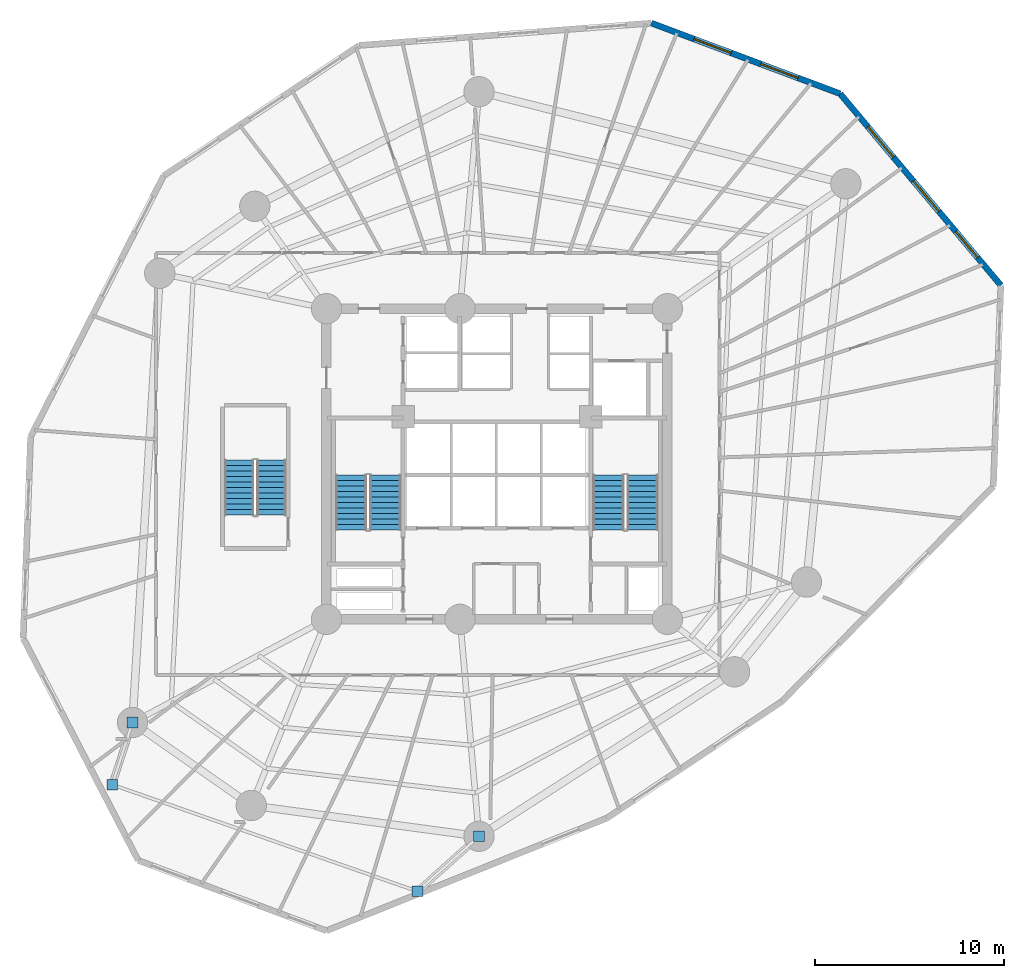
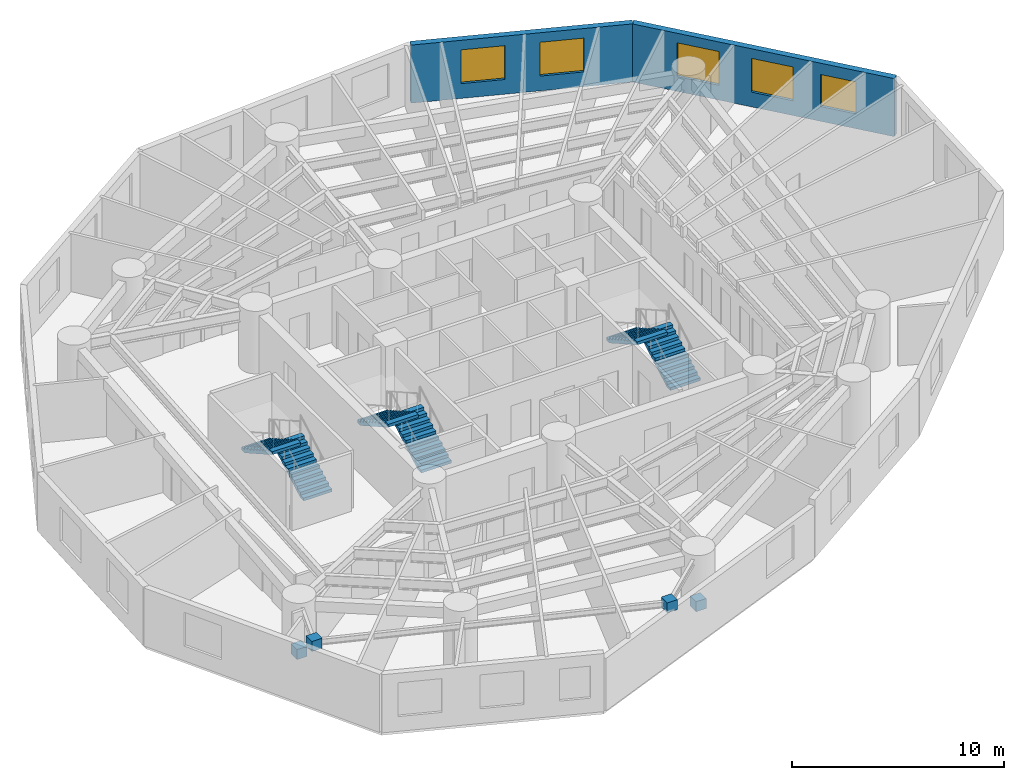
# One storey, part 7 of 8: 6 stair flights, 5 windows, 4 discrete accessories, 2 walls, 5 openings, 3 elements without a shape of their own.
"""IFC4 building model written with IfcOpenShell, lengths in metres."""

from ifc_helpers import new_model, si_unit, direction, frame, frame_2d, origin, origin_with_axes, origin_2d, place, context, subcontext, project, spatial, polyline, rectangle, outline, extrude, source, transform, mapped, material, layer, layer_set, type_object, element, fill, aggregate, save


model = new_model("IFC4")

# Units and contexts
model_context = context("Model", 3, precision=1e-05, world=origin(), true_north=direction((0.0, 1.0)))
body_context = subcontext(model_context, "Body", "Model", "MODEL_VIEW")
ifc_project = project(units=[si_unit("LENGTHUNIT", "METRE"), si_unit("AREAUNIT", "SQUARE_METRE"), si_unit("VOLUMEUNIT", "CUBIC_METRE"), si_unit("PLANEANGLEUNIT", "RADIAN"), si_unit("MASSUNIT", "GRAM", prefix="KILO")], contexts=[model_context])

# Site, building, storey
site_placement = place(None, origin())
site = spatial("IfcSite", under=ifc_project, at=site_placement, CompositionType="ELEMENT")
building_placement = place(site_placement, origin())
building = spatial("IfcBuilding", under=site, at=building_placement, Name="Karkom Vertical University and Central Library", CompositionType="ELEMENT")
storey_placement = place(building_placement, frame((0.0, 0.0, 40.89990234375)))
storey = spatial("IfcBuildingStorey", under=building, at=storey_placement, Name="L10", CompositionType="ELEMENT", Elevation=40.89990234375)

# Wall, openings, windows
ifc_material_1 = material(Name="Brick-faced precast concrete C45/55", Category="masonry")
ifc_layer = layer(ifc_material_1, 0.320068359375)
ifc_layer_set = layer_set([ifc_layer], Name="Brick-faced precast concrete C45/55")
wall_type = type_object("IfcWallType", Name="ENV-WL-BRK-320", PredefinedType="SOLIDWALL", material=ifc_layer_set)
wall_1_placement = place(storey_placement, frame((55.109619140625, 35.931640625, 0.0), z_axis=(0.0, 0.0, 1.0), x_axis=(-0.642710935311, 0.766108774021, 0.0)))
wall_1 = element("IfcWall", 1, at=wall_1_placement, inside=storey, type_object=wall_type, Name="Level 10 Brick-Faced Precast Facade Wall 10", PredefinedType="SOLIDWALL", context=body_context, shape_type="SweptSolid", body=[
    extrude(rectangle(XDim=13.21240234375, YDim=0.320068359375, at=frame_2d((6.606201171875, 0.0))), origin(), (0.0, 0.0, 1.0), 3.35009765625),
])
opening_1_placement = place(wall_1_placement, frame((1.919677734375, 0.0, 0.85009765625)))
opening_1 = element("IfcOpeningElement", 2, at=opening_1_placement, cuts=wall_1, Name="Opening WN-04", PredefinedType="OPENING", context=body_context, shape_type="SweptSolid", body=[
    extrude(rectangle(XDim=1.800048828125, YDim=1.85009765625, at=frame_2d((0.89990234375, 0.925048828125))), frame((0.0, 0.169921875, 0.0), z_axis=(0.0, -1.0, 0.0), x_axis=(1.0, 0.0, 0.0)), (0.0, 0.0, 1.0), 0.340087890625),
])
opening_2_placement = place(wall_1_placement, frame((5.09423828125, 0.0, 0.85009765625)))
opening_2 = element("IfcOpeningElement", 3, at=opening_2_placement, cuts=wall_1, Name="Opening WN-03", PredefinedType="OPENING", context=body_context, shape_type="SweptSolid", body=[
    extrude(rectangle(XDim=2.10009765625, YDim=1.949951171875, at=frame_2d((1.050048828125, 0.97509765625))), frame((0.0, 0.169921875, 0.0), z_axis=(0.0, -1.0, 0.0), x_axis=(1.0, 0.0, 0.0)), (0.0, 0.0, 1.0), 0.340087890625),
])
opening_3_placement = place(wall_1_placement, frame((8.82763671875, 0.0, 0.85009765625)))
opening_3 = element("IfcOpeningElement", 4, at=opening_3_placement, cuts=wall_1, Name="Opening WN-03", PredefinedType="OPENING", context=body_context, shape_type="SweptSolid", body=[
    extrude(rectangle(XDim=2.10009765625, YDim=1.949951171875, at=frame_2d((1.050048828125, 0.97509765625))), frame((0.0, 0.169921875, 0.0), z_axis=(0.0, -1.0, 0.0), x_axis=(1.0, 0.0, 0.0)), (0.0, 0.0, 1.0), 0.340087890625),
])
ifc_material_2 = material(Name="Aluminium thermal-break frame with solar-control IGU", Category="aluminium")
window_type_1 = type_object("IfcWindowType", Name="ENV-WIN-WN-03", PartitioningType="SINGLE_PANEL", PredefinedType="WINDOW", material=ifc_material_2)
shared_shape_1 = source(origin_with_axes(), body_context, "Body", "SweptSolid", [
    extrude(rectangle(XDim=2.10009765625, YDim=1.949951171875, at=frame_2d((1.050048828125, 0.97509765625))), frame((0.0, 0.030029296875, 0.0), z_axis=(0.0, -1.0, 0.0), x_axis=(1.0, 0.0, 0.0)), (0.0, 0.0, 1.0), 0.06005859375),
])
window_1_placement = place(opening_2_placement, origin())
window_1 = element("IfcWindow", 5, at=window_1_placement, inside=storey, type_object=window_type_1, Name="Level 10 Punched Window 10.2", OverallHeight=1.949951171875, OverallWidth=2.10009765625, PartitioningType="SINGLE_PANEL", PredefinedType="WINDOW", context=body_context, shape_type="MappedRepresentation", body=[
    mapped(shared_shape_1, transform((0.0, 0.0, 0.0), scale=1.0)),
])
fill(opening_2, window_1)
window_2_placement = place(opening_3_placement, origin())
window_2 = element("IfcWindow", 6, at=window_2_placement, inside=storey, type_object=window_type_1, Name="Level 10 Punched Window 10.3", OverallHeight=1.949951171875, OverallWidth=2.10009765625, PartitioningType="SINGLE_PANEL", PredefinedType="WINDOW", context=body_context, shape_type="MappedRepresentation", body=[
    mapped(shared_shape_1, transform((0.0, 0.0, 0.0), scale=1.0)),
])
fill(opening_3, window_2)
window_type_2 = type_object("IfcWindowType", Name="ENV-WIN-WN-04", PartitioningType="SINGLE_PANEL", PredefinedType="WINDOW", material=ifc_material_2)
shared_shape_2 = source(origin_with_axes(), body_context, "Body", "SweptSolid", [
    extrude(rectangle(XDim=1.800048828125, YDim=1.85009765625, at=frame_2d((0.89990234375, 0.925048828125))), frame((0.0, 0.030029296875, 0.0), z_axis=(0.0, -1.0, 0.0), x_axis=(1.0, 0.0, 0.0)), (0.0, 0.0, 1.0), 0.06005859375),
])
window_3_placement = place(opening_1_placement, origin())
window_3 = element("IfcWindow", 7, at=window_3_placement, inside=storey, type_object=window_type_2, Name="Level 10 Punched Window 10.1", OverallHeight=1.85009765625, OverallWidth=1.800048828125, PartitioningType="SINGLE_PANEL", PredefinedType="WINDOW", context=body_context, shape_type="MappedRepresentation", body=[
    mapped(shared_shape_2, transform((0.0, 0.0, 0.0), scale=1.0)),
])
fill(opening_1, window_3)

wall_2_placement = place(storey_placement, frame((46.617919921875, 46.0537109375, 0.0), z_axis=(0.0, 0.0, 1.0), x_axis=(-0.936577845609, 0.350459611246, 0.0)))
wall_2 = element("IfcWall", 8, at=wall_2_placement, inside=storey, type_object=wall_type, Name="Level 10 Brick-Faced Precast Facade Wall 11", PredefinedType="SOLIDWALL", context=body_context, shape_type="SweptSolid", body=[
    extrude(rectangle(XDim=10.6416015625, YDim=0.320068359375, at=frame_2d((5.32080078125, 0.0))), origin(), (0.0, 0.0, 1.0), 3.35009765625),
])
opening_4_placement = place(wall_2_placement, frame((2.36767578125, 0.0, 0.85009765625)))
opening_4 = element("IfcOpeningElement", 9, at=opening_4_placement, cuts=wall_2, Name="Opening WN-03", PredefinedType="OPENING", context=body_context, shape_type="SweptSolid", body=[
    extrude(rectangle(XDim=2.10009765625, YDim=1.949951171875, at=frame_2d((1.050048828125, 0.97509765625))), frame((0.0, 0.169921875, 0.0), z_axis=(0.0, -1.0, 0.0), x_axis=(1.0, 0.0, 0.0)), (0.0, 0.0, 1.0), 0.340087890625),
])
opening_5_placement = place(wall_2_placement, frame((6.14111328125, 0.0, 0.85009765625)))
opening_5 = element("IfcOpeningElement", 10, at=opening_5_placement, cuts=wall_2, Name="Opening WN-03", PredefinedType="OPENING", context=body_context, shape_type="SweptSolid", body=[
    extrude(rectangle(XDim=2.10009765625, YDim=1.949951171875, at=frame_2d((1.050048828125, 0.97509765625))), frame((0.0, 0.169921875, 0.0), z_axis=(0.0, -1.0, 0.0), x_axis=(1.0, 0.0, 0.0)), (0.0, 0.0, 1.0), 0.340087890625),
])
window_4_placement = place(opening_4_placement, origin())
window_4 = element("IfcWindow", 11, at=window_4_placement, inside=storey, type_object=window_type_1, Name="Level 10 Punched Window 11.1", OverallHeight=1.949951171875, OverallWidth=2.10009765625, PartitioningType="SINGLE_PANEL", PredefinedType="WINDOW", context=body_context, shape_type="MappedRepresentation", body=[
    mapped(shared_shape_1, transform((0.0, 0.0, 0.0), scale=1.0)),
])
fill(opening_4, window_4)
window_5_placement = place(opening_5_placement, origin())
window_5 = element("IfcWindow", 12, at=window_5_placement, inside=storey, type_object=window_type_1, Name="Level 10 Punched Window 11.2", OverallHeight=1.949951171875, OverallWidth=2.10009765625, PartitioningType="SINGLE_PANEL", PredefinedType="WINDOW", context=body_context, shape_type="MappedRepresentation", body=[
    mapped(shared_shape_1, transform((0.0, 0.0, 0.0), scale=1.0)),
])
fill(opening_5, window_5)

# Stair, stair flights
ifc_material_3 = material(Name="Concrete C45/55", Category="concrete")
stair_type_1 = type_object("IfcStairType", Name="INT-STR-ST-MAIN", PredefinedType="HALF_TURN_STAIR", material=ifc_material_3)
stair_1_placement = place(storey_placement, origin())
stair_1 = element("IfcStair", 13, at=stair_1_placement, inside=storey, type_object=stair_type_1, Name="Level 10 Tower Protected Exit Stair ST-1", PredefinedType="HALF_TURN_STAIR")
stair_flight_type_1 = type_object("IfcStairFlightType", Name="INT-SFL-ST-MAIN", PredefinedType="STRAIGHT", material=ifc_material_3)
stair_flight_1_placement = place(storey_placement, frame((22.614990234375, 23.02001953125, 0.0), z_axis=(0.0, 0.0, 1.0), x_axis=(0.0, 1.0, 0.0)))
stair_flight_1 = element("IfcStairFlight", 14, at=stair_flight_1_placement, type_object=stair_flight_type_1, Name="ST-1 flight 1", NumberOfRisers=11, NumberOfTreads=10, PredefinedType="STRAIGHT", RiserHeight=0.163636364, TreadLength=0.29, context=body_context, shape_type="SweptSolid", body=[
    extrude(outline(polyline([(0.0, 0.0), (0.0, 0.16357421875), (0.2900390625, 0.16357421875), (0.2900390625, 0.327392578125), (0.580078125, 0.327392578125), (0.580078125, 0.490966796875), (0.8701171875, 0.490966796875), (0.8701171875, 0.654541015625), (1.159912109375, 0.654541015625), (1.159912109375, 0.818115234375), (1.449951171875, 0.818115234375), (1.449951171875, 0.98193359375), (1.739990234375, 0.98193359375), (1.739990234375, 1.1455078125), (2.030029296875, 1.1455078125), (2.030029296875, 1.30908203125), (2.320068359375, 1.30908203125), (2.320068359375, 1.47265625), (2.610107421875, 1.47265625), (2.610107421875, 1.636474609375), (2.89990234375, 1.636474609375), (2.89990234375, 1.800048828125), (2.89990234375, 1.46435546875), (0.304931640625, 0.0), (0.0, 0.0)])), frame((0.0, 0.824951171875, 0.0), z_axis=(0.0, -1.0, 0.0), x_axis=(1.0, 0.0, 0.0)), (0.0, 0.0, 1.0), 1.64990234375),
])
stair_flight_2_placement = place(storey_placement, frame((20.804931640625, 25.919921875, 1.800048828125), z_axis=(0.0, 0.0, 1.0), x_axis=(0.0, -1.0, 0.0)))
stair_flight_2 = element("IfcStairFlight", 15, at=stair_flight_2_placement, type_object=stair_flight_type_1, Name="ST-1 flight 2", NumberOfRisers=11, NumberOfTreads=10, PredefinedType="STRAIGHT", RiserHeight=0.163636364, TreadLength=0.29, context=body_context, shape_type="SweptSolid", body=[
    extrude(outline(polyline([(0.0, 0.0), (0.0, 0.16357421875), (0.2900390625, 0.16357421875), (0.2900390625, 0.327392578125), (0.580078125, 0.327392578125), (0.580078125, 0.490966796875), (0.8701171875, 0.490966796875), (0.8701171875, 0.654541015625), (1.159912109375, 0.654541015625), (1.159912109375, 0.818115234375), (1.449951171875, 0.818115234375), (1.449951171875, 0.98193359375), (1.739990234375, 0.98193359375), (1.739990234375, 1.1455078125), (2.030029296875, 1.1455078125), (2.030029296875, 1.30908203125), (2.320068359375, 1.30908203125), (2.320068359375, 1.47265625), (2.610107421875, 1.47265625), (2.610107421875, 1.636474609375), (2.89990234375, 1.636474609375), (2.89990234375, 1.800048828125), (2.89990234375, 1.46435546875), (0.304931640625, 0.0), (0.0, 0.0)])), frame((0.0, 0.824951171875, 0.0), z_axis=(0.0, -1.0, 0.0), x_axis=(1.0, 0.0, 0.0)), (0.0, 0.0, 1.0), 1.64990234375),
])
aggregate(stair_1, [stair_flight_1, stair_flight_2])

stair_2_placement = place(storey_placement, origin())
stair_2 = element("IfcStair", 16, at=stair_2_placement, inside=storey, type_object=stair_type_1, Name="Level 10 Tower Protected Exit Stair ST-2", PredefinedType="HALF_TURN_STAIR")
stair_flight_3_placement = place(storey_placement, frame((36.195068359375, 23.02001953125, 0.0), z_axis=(0.0, 0.0, 1.0), x_axis=(0.0, 1.0, 0.0)))
stair_flight_3 = element("IfcStairFlight", 17, at=stair_flight_3_placement, type_object=stair_flight_type_1, Name="ST-2 flight 1", NumberOfRisers=11, NumberOfTreads=10, PredefinedType="STRAIGHT", RiserHeight=0.163636364, TreadLength=0.29, context=body_context, shape_type="SweptSolid", body=[
    extrude(outline(polyline([(0.0, 0.0), (0.0, 0.16357421875), (0.2900390625, 0.16357421875), (0.2900390625, 0.327392578125), (0.580078125, 0.327392578125), (0.580078125, 0.490966796875), (0.8701171875, 0.490966796875), (0.8701171875, 0.654541015625), (1.159912109375, 0.654541015625), (1.159912109375, 0.818115234375), (1.449951171875, 0.818115234375), (1.449951171875, 0.98193359375), (1.739990234375, 0.98193359375), (1.739990234375, 1.1455078125), (2.030029296875, 1.1455078125), (2.030029296875, 1.30908203125), (2.320068359375, 1.30908203125), (2.320068359375, 1.47265625), (2.610107421875, 1.47265625), (2.610107421875, 1.636474609375), (2.89990234375, 1.636474609375), (2.89990234375, 1.800048828125), (2.89990234375, 1.46435546875), (0.304931640625, 0.0), (0.0, 0.0)])), frame((0.0, 0.824951171875, 0.0), z_axis=(0.0, -1.0, 0.0), x_axis=(1.0, 0.0, 0.0)), (0.0, 0.0, 1.0), 1.64990234375),
])
stair_flight_4_placement = place(storey_placement, frame((34.385009765625, 25.919921875, 1.800048828125), z_axis=(0.0, 0.0, 1.0), x_axis=(0.0, -1.0, 0.0)))
stair_flight_4 = element("IfcStairFlight", 18, at=stair_flight_4_placement, type_object=stair_flight_type_1, Name="ST-2 flight 2", NumberOfRisers=11, NumberOfTreads=10, PredefinedType="STRAIGHT", RiserHeight=0.163636364, TreadLength=0.29, context=body_context, shape_type="SweptSolid", body=[
    extrude(outline(polyline([(0.0, 0.0), (0.0, 0.16357421875), (0.2900390625, 0.16357421875), (0.2900390625, 0.327392578125), (0.580078125, 0.327392578125), (0.580078125, 0.490966796875), (0.8701171875, 0.490966796875), (0.8701171875, 0.654541015625), (1.159912109375, 0.654541015625), (1.159912109375, 0.818115234375), (1.449951171875, 0.818115234375), (1.449951171875, 0.98193359375), (1.739990234375, 0.98193359375), (1.739990234375, 1.1455078125), (2.030029296875, 1.1455078125), (2.030029296875, 1.30908203125), (2.320068359375, 1.30908203125), (2.320068359375, 1.47265625), (2.610107421875, 1.47265625), (2.610107421875, 1.636474609375), (2.89990234375, 1.636474609375), (2.89990234375, 1.800048828125), (2.89990234375, 1.46435546875), (0.304931640625, 0.0), (0.0, 0.0)])), frame((0.0, 0.824951171875, 0.0), z_axis=(0.0, -1.0, 0.0), x_axis=(1.0, 0.0, 0.0)), (0.0, 0.0, 1.0), 1.64990234375),
])
aggregate(stair_2, [stair_flight_3, stair_flight_4])

stair_type_2 = type_object("IfcStairType", Name="INT-STR-ST-SEC", PredefinedType="HALF_TURN_STAIR", material=ifc_material_3)
stair_3_placement = place(storey_placement, origin())
stair_3 = element("IfcStair", 19, at=stair_3_placement, inside=storey, type_object=stair_type_2, Name="Level 10 Academic Zone Protected Exit Stair ST-3", PredefinedType="HALF_TURN_STAIR")
stair_flight_type_2 = type_object("IfcStairFlightType", Name="INT-SFL-ST-SEC", PredefinedType="STRAIGHT", material=ifc_material_3)
stair_flight_5_placement = place(storey_placement, frame((16.60498046875, 23.800048828125, 0.0), z_axis=(0.0, 0.0, 1.0), x_axis=(0.0, 1.0, 0.0)))
stair_flight_5 = element("IfcStairFlight", 20, at=stair_flight_5_placement, type_object=stair_flight_type_2, Name="ST-3 flight 1", NumberOfRisers=11, NumberOfTreads=10, PredefinedType="STRAIGHT", RiserHeight=0.163636364, TreadLength=0.29, context=body_context, shape_type="SweptSolid", body=[
    extrude(outline(polyline([(0.0, 0.0), (0.0, 0.16357421875), (0.2900390625, 0.16357421875), (0.2900390625, 0.327392578125), (0.580078125, 0.327392578125), (0.580078125, 0.490966796875), (0.8701171875, 0.490966796875), (0.8701171875, 0.654541015625), (1.159912109375, 0.654541015625), (1.159912109375, 0.818115234375), (1.449951171875, 0.818115234375), (1.449951171875, 0.98193359375), (1.739990234375, 0.98193359375), (1.739990234375, 1.1455078125), (2.030029296875, 1.1455078125), (2.030029296875, 1.30908203125), (2.320068359375, 1.30908203125), (2.320068359375, 1.47265625), (2.610107421875, 1.47265625), (2.610107421875, 1.636474609375), (2.89990234375, 1.636474609375), (2.89990234375, 1.800048828125), (2.89990234375, 1.46435546875), (0.304931640625, 0.0), (0.0, 0.0)])), frame((0.0, 0.77490234375, 0.0), z_axis=(0.0, -1.0, 0.0), x_axis=(1.0, 0.0, 0.0)), (0.0, 0.0, 1.0), 1.550048828125),
])
stair_flight_6_placement = place(storey_placement, frame((14.89501953125, 26.699951171875, 1.800048828125), z_axis=(0.0, 0.0, 1.0), x_axis=(0.0, -1.0, 0.0)))
stair_flight_6 = element("IfcStairFlight", 21, at=stair_flight_6_placement, type_object=stair_flight_type_2, Name="ST-3 flight 2", NumberOfRisers=11, NumberOfTreads=10, PredefinedType="STRAIGHT", RiserHeight=0.163636364, TreadLength=0.29, context=body_context, shape_type="SweptSolid", body=[
    extrude(outline(polyline([(0.0, 0.0), (0.0, 0.16357421875), (0.2900390625, 0.16357421875), (0.2900390625, 0.327392578125), (0.580078125, 0.327392578125), (0.580078125, 0.490966796875), (0.8701171875, 0.490966796875), (0.8701171875, 0.654541015625), (1.159912109375, 0.654541015625), (1.159912109375, 0.818115234375), (1.449951171875, 0.818115234375), (1.449951171875, 0.98193359375), (1.739990234375, 0.98193359375), (1.739990234375, 1.1455078125), (2.030029296875, 1.1455078125), (2.030029296875, 1.30908203125), (2.320068359375, 1.30908203125), (2.320068359375, 1.47265625), (2.610107421875, 1.47265625), (2.610107421875, 1.636474609375), (2.89990234375, 1.636474609375), (2.89990234375, 1.800048828125), (2.89990234375, 1.46435546875), (0.304931640625, 0.0), (0.0, 0.0)])), frame((0.0, 0.77490234375, 0.0), z_axis=(0.0, -1.0, 0.0), x_axis=(1.0, 0.0, 0.0)), (0.0, 0.0, 1.0), 1.550048828125),
])
aggregate(stair_3, [stair_flight_5, stair_flight_6])

# Discrete accessories
ifc_material_4 = material(Name="Ductile cast iron EN-GJS-400-15", Category="metal")
discrete_accessory_type = type_object("IfcDiscreteAccessoryType", Name="STR-ACC-NODECAP", PredefinedType="BRACKET", material=ifc_material_4)
shared_shape_3 = source(origin_with_axes(), body_context, "Body", "SweptSolid", [
    extrude(rectangle(XDim=0.56005859375, YDim=0.56005859375, at=origin_2d()), origin(), (0.0, 0.0, 1.0), 0.580078125),
])
for number, where, z_axis, x_axis, name in (
    (22, (9.258056640625, 12.85400390625, 0.06005859375), (0.0, 0.0, 1.0), (1.0, 0.0, 0.0), "Level 10 Cast Node Connector L10-SKG-KNEE-1 A"),
    (23, (8.185791015625, 9.572998046875, 2.89501953125), (0.0, 0.0, 1.0), (1.0, 0.0, 0.0), "Level 10 Cast Node Connector L10-SKG-KNEE-1 B"),
    (24, (27.552001953125, 6.843994140625, 0.06005859375), (0.0, 0.0, 1.0), (1.0, 0.0, 0.0), "Level 10 Cast Node Connector L10-SKG-KNEE-2 A"),
    (25, (24.303466796875, 3.93798828125, 2.89501953125), (0.0, 0.0, 1.0), (1.0, 0.0, 0.0), "Level 10 Cast Node Connector L10-SKG-KNEE-2 B"),
):
    element("IfcDiscreteAccessory", number, at=place(storey_placement, frame(where, z_axis=z_axis, x_axis=x_axis)), inside=storey, type_object=discrete_accessory_type, Name=name, PredefinedType="BRACKET", context=body_context, shape_type="MappedRepresentation", body=[
        mapped(shared_shape_3, transform((0.0, 0.0, 0.0), scale=1.0)),
    ])

save(model, "model.ifc")
